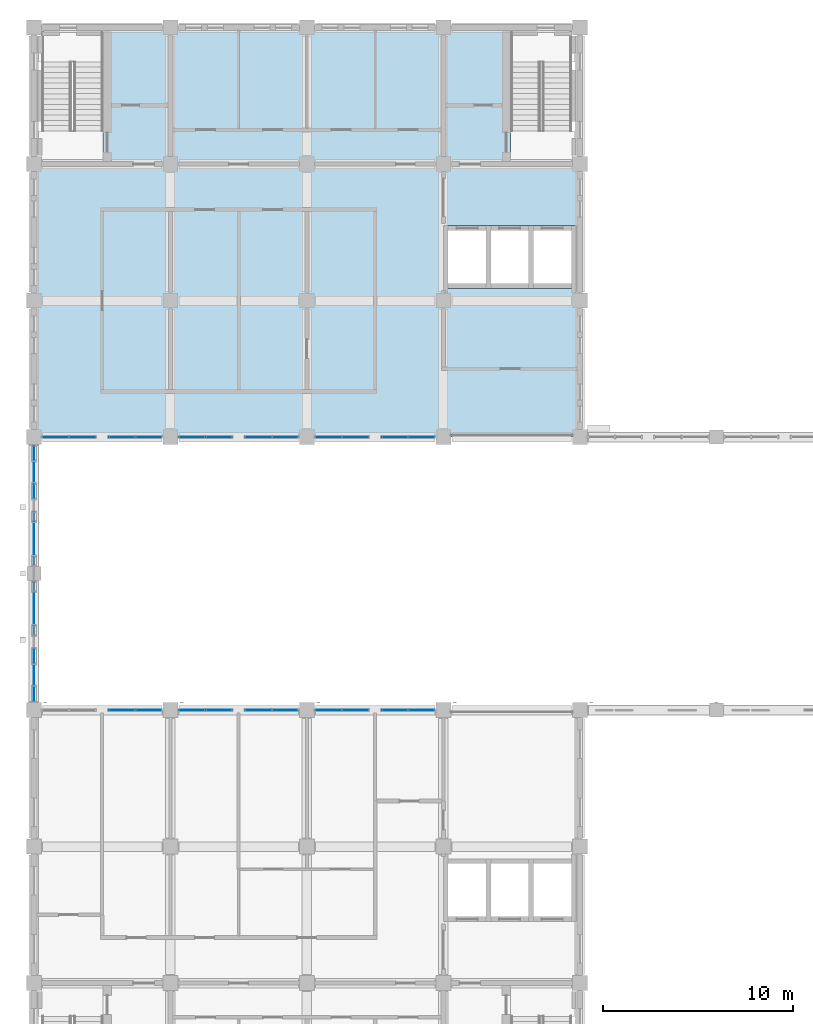
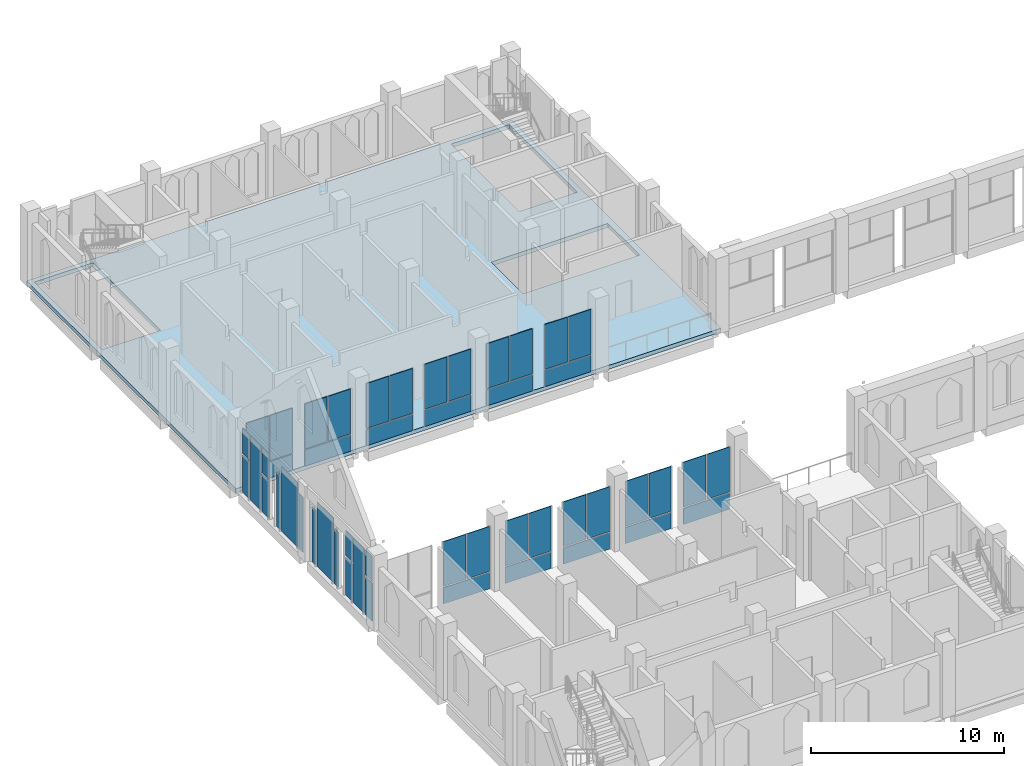
# One storey, part 16 of 31: 49 plates, 1 slab, 15 elements without a shape of their own.
"""IFC4 building model written with IfcOpenShell, lengths in metres."""

from ifc_helpers import new_model, si_unit, direction, frame, origin, origin_2d, place, context, subcontext, project, spatial, polyline, rectangle, outline, extrude, material, layer, layer_set, type_object, element, aggregate, save


model = new_model("IFC4")

# Units and contexts
model_context = context("Model", 3, precision=1e-05, world=origin(), true_north=direction((0.0, 1.0)))
body_context = subcontext(model_context, "Body", "Model", "MODEL_VIEW")
ifc_project = project(units=[si_unit("LENGTHUNIT", "METRE"), si_unit("AREAUNIT", "SQUARE_METRE"), si_unit("VOLUMEUNIT", "CUBIC_METRE"), si_unit("PLANEANGLEUNIT", "RADIAN"), si_unit("MASSUNIT", "GRAM", prefix="KILO")], contexts=[model_context])

# Site, building, storey
site_placement = place(None, origin())
site = spatial("IfcSite", under=ifc_project, at=site_placement, CompositionType="ELEMENT")
building_placement = place(site_placement, origin())
building = spatial("IfcBuilding", under=site, at=building_placement, Name="Silangan Lancet Faculty of Sciences", CompositionType="ELEMENT")
storey_placement = place(building_placement, frame((0.0, 0.0, 36.0)))
storey = spatial("IfcBuildingStorey", under=building, at=storey_placement, Name="L07", CompositionType="ELEMENT", Elevation=36.0)

# Curtain wall, plates
ifc_material_1 = material(Name="Aluminium framed curtain wall with insulated glass", Category="aluminium")
curtain_wall_type_1 = type_object("IfcCurtainWallType", Name="CW3 West stepped lancet window", PredefinedType="NOTDEFINED", material=ifc_material_1)
curtain_wall_1_placement = place(storey_placement, origin())
curtain_wall_1 = element("IfcCurtainWall", 1, at=curtain_wall_1_placement, inside=storey, type_object=curtain_wall_type_1, Name="CW3 West window L07 bay 1", PredefinedType="NOTDEFINED")
ifc_material_2 = material(Name="Insulated glass unit 8+16+8 low-emissivity", Category="glass")
ifc_layer_1 = layer(ifc_material_2, 0.031982421875)
ifc_layer_set_1 = layer_set([ifc_layer_1], Name="Insulated glass unit 8+16+8 low-emissivity")
plate_type_1 = type_object("IfcPlateType", Name="CP1 Panel vision glass 32", PredefinedType="CURTAIN_PANEL", material=ifc_layer_set_1)
plate_1_placement = place(storey_placement, frame((0.0, 22.449951171875, 2.5), z_axis=(0.0, 0.0, 1.0), x_axis=(0.0, 1.0, 0.0)))
plate_1 = element("IfcPlate", 2, at=plate_1_placement, type_object=plate_type_1, Name="CW3 West window L07 bay 1 panel 3", PredefinedType="CURTAIN_PANEL", context=body_context, shape_type="SweptSolid", body=[
    extrude(rectangle(XDim=0.75, YDim=0.031982421875, at=origin_2d()), origin(), (0.0, 0.0, 1.0), 1.60009765625),
])
plate_2_placement = place(storey_placement, frame((0.0, 24.449951171875, 2.5), z_axis=(0.0, 0.0, 1.0), x_axis=(0.0, 1.0, 0.0)))
plate_2 = element("IfcPlate", 3, at=plate_2_placement, type_object=plate_type_1, Name="CW3 West window L07 bay 1 panel 4", PredefinedType="CURTAIN_PANEL", context=body_context, shape_type="SweptSolid", body=[
    extrude(rectangle(XDim=0.75, YDim=0.031982421875, at=origin_2d()), origin(), (0.0, 0.0, 1.0), 1.60009765625),
])

curtain_wall_2_placement = place(storey_placement, origin())
curtain_wall_2 = element("IfcCurtainWall", 4, at=curtain_wall_2_placement, inside=storey, type_object=curtain_wall_type_1, Name="CW3 West window L07 bay 4", PredefinedType="NOTDEFINED")
plate_3_placement = place(storey_placement, frame((0.0, 33.14990234375, 2.5), z_axis=(0.0, 0.0, 1.0), x_axis=(0.0, 1.0, 0.0)))
plate_3 = element("IfcPlate", 5, at=plate_3_placement, type_object=plate_type_1, Name="CW3 West window L07 bay 4 panel 3", PredefinedType="CURTAIN_PANEL", context=body_context, shape_type="SweptSolid", body=[
    extrude(rectangle(XDim=0.75, YDim=0.031982421875, at=origin_2d()), origin(), (0.0, 0.0, 1.0), 1.60009765625),
])
plate_4_placement = place(storey_placement, frame((0.0, 35.14990234375, 2.5), z_axis=(0.0, 0.0, 1.0), x_axis=(0.0, 1.0, 0.0)))
plate_4 = element("IfcPlate", 6, at=plate_4_placement, type_object=plate_type_1, Name="CW3 West window L07 bay 4 panel 4", PredefinedType="CURTAIN_PANEL", context=body_context, shape_type="SweptSolid", body=[
    extrude(rectangle(XDim=0.75, YDim=0.031982421875, at=origin_2d()), origin(), (0.0, 0.0, 1.0), 1.60009765625),
])

# Plate
ifc_material_3 = material(Name="Laminated insulated glass unit 10.76+14+8", Category="glass")
ifc_layer_2 = layer(ifc_material_3, 0.035888671875)
ifc_layer_set_2 = layer_set([ifc_layer_2], Name="Laminated insulated glass unit 10.76+14+8")
plate_type_2 = type_object("IfcPlateType", Name="CP2 Panel laminated glass 36", PredefinedType="CURTAIN_PANEL", material=ifc_layer_set_2)
plate_5_placement = place(storey_placement, frame((0.0, 22.449951171875, 0.0), z_axis=(0.0, 0.0, 1.0), x_axis=(0.0, 1.0, 0.0)))
plate_5 = element("IfcPlate", 7, at=plate_5_placement, type_object=plate_type_2, Name="CW3 West window L07 bay 1 panel 1", PredefinedType="CURTAIN_PANEL", context=body_context, shape_type="SweptSolid", body=[
    extrude(rectangle(XDim=0.75, YDim=0.035888671875, at=origin_2d()), origin(), (0.0, 0.0, 1.0), 2.39990234375),
])

plate_6_placement = place(storey_placement, frame((0.0, 24.449951171875, 0.0), z_axis=(0.0, 0.0, 1.0), x_axis=(0.0, 1.0, 0.0)))
plate_6 = element("IfcPlate", 8, at=plate_6_placement, type_object=plate_type_2, Name="CW3 West window L07 bay 1 panel 2", PredefinedType="CURTAIN_PANEL", context=body_context, shape_type="SweptSolid", body=[
    extrude(rectangle(XDim=0.75, YDim=0.035888671875, at=origin_2d()), origin(), (0.0, 0.0, 1.0), 2.39990234375),
])

plate_7_placement = place(storey_placement, frame((0.0, 23.449951171875, 0.0), z_axis=(0.0, 0.0, 1.0), x_axis=(0.0, 1.0, 0.0)))
plate_7 = element("IfcPlate", 9, at=plate_7_placement, type_object=plate_type_2, Name="CW3 West window L07 bay 1 panel 5", PredefinedType="CURTAIN_PANEL", context=body_context, shape_type="SweptSolid", body=[
    extrude(rectangle(XDim=1.10009765625, YDim=0.035888671875, at=origin_2d()), origin(), (0.0, 0.0, 1.0), 4.10009765625),
])

aggregate(curtain_wall_1, [plate_5, plate_6, plate_1, plate_2, plate_7])

# Curtain wall, plates
ifc_material_4 = material(Name="Aluminium framed curtain wall with insulated glass", Category="aluminium")
curtain_wall_type_2 = type_object("IfcCurtainWallType", Name="CW6 West window middle bays", PredefinedType="NOTDEFINED", material=ifc_material_4)
curtain_wall_3_placement = place(storey_placement, origin())
curtain_wall_3 = element("IfcCurtainWall", 10, at=curtain_wall_3_placement, inside=storey, type_object=curtain_wall_type_2, Name="CW6 West window L07 bay 2", PredefinedType="NOTDEFINED")
plate_8_placement = place(storey_placement, frame((0.0, 25.800048828125, 0.0), z_axis=(0.0, 0.0, 1.0), x_axis=(0.0, 1.0, 0.0)))
plate_8 = element("IfcPlate", 11, at=plate_8_placement, type_object=plate_type_2, Name="CW6 West window L07 bay 2 panel 1", PredefinedType="CURTAIN_PANEL", context=body_context, shape_type="SweptSolid", body=[
    extrude(rectangle(XDim=0.449951171875, YDim=0.035888671875, at=origin_2d()), origin(), (0.0, 0.0, 1.0), 3.5),
])
plate_9_placement = place(storey_placement, frame((0.0, 28.125, 0.0), z_axis=(0.0, 0.0, 1.0), x_axis=(0.0, 1.0, 0.0)))
plate_9 = element("IfcPlate", 12, at=plate_9_placement, type_object=plate_type_2, Name="CW6 West window L07 bay 2 panel 2", PredefinedType="CURTAIN_PANEL", context=body_context, shape_type="SweptSolid", body=[
    extrude(rectangle(XDim=0.449951171875, YDim=0.035888671875, at=origin_2d()), origin(), (0.0, 0.0, 1.0), 3.5),
])
plate_10_placement = place(storey_placement, frame((0.0, 26.96240234375, 0.0), z_axis=(0.0, 0.0, 1.0), x_axis=(0.0, 1.0, 0.0)))
plate_10 = element("IfcPlate", 13, at=plate_10_placement, type_object=plate_type_2, Name="CW6 West window L07 bay 2 panel 5", PredefinedType="CURTAIN_PANEL", context=body_context, shape_type="SweptSolid", body=[
    extrude(rectangle(XDim=1.72509765625, YDim=0.035888671875, at=origin_2d()), origin(), (0.0, 0.0, 1.0), 4.10009765625),
])
aggregate(curtain_wall_3, [plate_8, plate_9, plate_10])

curtain_wall_4_placement = place(storey_placement, origin())
curtain_wall_4 = element("IfcCurtainWall", 14, at=curtain_wall_4_placement, inside=storey, type_object=curtain_wall_type_2, Name="CW6 West window L07 bay 3", PredefinedType="NOTDEFINED")
plate_11_placement = place(storey_placement, frame((0.0, 29.47509765625, 0.0), z_axis=(0.0, 0.0, 1.0), x_axis=(0.0, 1.0, 0.0)))
plate_11 = element("IfcPlate", 15, at=plate_11_placement, type_object=plate_type_2, Name="CW6 West window L07 bay 3 panel 1", PredefinedType="CURTAIN_PANEL", context=body_context, shape_type="SweptSolid", body=[
    extrude(rectangle(XDim=0.449951171875, YDim=0.035888671875, at=origin_2d()), origin(), (0.0, 0.0, 1.0), 3.5),
])
plate_12_placement = place(storey_placement, frame((0.0, 31.7998046875, 0.0), z_axis=(0.0, 0.0, 1.0), x_axis=(0.0, 1.0, 0.0)))
plate_12 = element("IfcPlate", 16, at=plate_12_placement, type_object=plate_type_2, Name="CW6 West window L07 bay 3 panel 2", PredefinedType="CURTAIN_PANEL", context=body_context, shape_type="SweptSolid", body=[
    extrude(rectangle(XDim=0.449951171875, YDim=0.035888671875, at=origin_2d()), origin(), (0.0, 0.0, 1.0), 3.5),
])
plate_13_placement = place(storey_placement, frame((0.0, 30.637451171875, 0.0), z_axis=(0.0, 0.0, 1.0), x_axis=(0.0, 1.0, 0.0)))
plate_13 = element("IfcPlate", 17, at=plate_13_placement, type_object=plate_type_2, Name="CW6 West window L07 bay 3 panel 5", PredefinedType="CURTAIN_PANEL", context=body_context, shape_type="SweptSolid", body=[
    extrude(rectangle(XDim=1.724853515625, YDim=0.035888671875, at=origin_2d()), origin(), (0.0, 0.0, 1.0), 4.10009765625),
])
aggregate(curtain_wall_4, [plate_11, plate_12, plate_13])

# Plate
plate_14_placement = place(storey_placement, frame((0.0, 33.14990234375, 0.0), z_axis=(0.0, 0.0, 1.0), x_axis=(0.0, 1.0, 0.0)))
plate_14 = element("IfcPlate", 18, at=plate_14_placement, type_object=plate_type_2, Name="CW3 West window L07 bay 4 panel 1", PredefinedType="CURTAIN_PANEL", context=body_context, shape_type="SweptSolid", body=[
    extrude(rectangle(XDim=0.75, YDim=0.035888671875, at=origin_2d()), origin(), (0.0, 0.0, 1.0), 2.39990234375),
])

plate_15_placement = place(storey_placement, frame((0.0, 35.14990234375, 0.0), z_axis=(0.0, 0.0, 1.0), x_axis=(0.0, 1.0, 0.0)))
plate_15 = element("IfcPlate", 19, at=plate_15_placement, type_object=plate_type_2, Name="CW3 West window L07 bay 4 panel 2", PredefinedType="CURTAIN_PANEL", context=body_context, shape_type="SweptSolid", body=[
    extrude(rectangle(XDim=0.75, YDim=0.035888671875, at=origin_2d()), origin(), (0.0, 0.0, 1.0), 2.39990234375),
])

plate_16_placement = place(storey_placement, frame((0.0, 34.14990234375, 0.0), z_axis=(0.0, 0.0, 1.0), x_axis=(0.0, 1.0, 0.0)))
plate_16 = element("IfcPlate", 20, at=plate_16_placement, type_object=plate_type_2, Name="CW3 West window L07 bay 4 panel 5", PredefinedType="CURTAIN_PANEL", context=body_context, shape_type="SweptSolid", body=[
    extrude(rectangle(XDim=1.10009765625, YDim=0.035888671875, at=origin_2d()), origin(), (0.0, 0.0, 1.0), 4.10009765625),
])

aggregate(curtain_wall_2, [plate_14, plate_15, plate_3, plate_4, plate_16])

# Curtain wall, plates
ifc_material_5 = material(Name="Aluminium framed curtain wall with insulated glass", Category="aluminium")
curtain_wall_type_3 = type_object("IfcCurtainWallType", Name="CW2 Atrium fire-resisting screen", PredefinedType="NOTDEFINED", material=ifc_material_5)
curtain_wall_5_placement = place(storey_placement, origin())
curtain_wall_5 = element("IfcCurtainWall", 21, at=curtain_wall_5_placement, inside=storey, type_object=curtain_wall_type_3, Name="CW2 Atrium south L07 bay 1", PredefinedType="NOTDEFINED")
ifc_material_6 = material(Name="Fire-resisting glass unit 40 mm, integrity E", Category="glass")
ifc_layer_3 = layer(ifc_material_6, 0.0400390625)
ifc_layer_set_3 = layer_set([ifc_layer_3], Name="Fire-resisting glass unit 40 mm, integrity E")
plate_type_3 = type_object("IfcPlateType", Name="CP3 Panel fire-resisting glass 40", PredefinedType="CURTAIN_PANEL", material=ifc_layer_set_3)
plate_17_placement = place(storey_placement, frame((19.75, 21.60009765625, 0.0), z_axis=(0.0, 0.0, 1.0), x_axis=(-1.0, 0.0, 0.0)))
plate_17 = element("IfcPlate", 22, at=plate_17_placement, type_object=plate_type_3, Name="CW2 Atrium south L07 bay 1 panel 1", PredefinedType="CURTAIN_PANEL", context=body_context, shape_type="SweptSolid", body=[
    extrude(rectangle(XDim=2.75, YDim=0.0400390625, at=origin_2d()), origin(), (0.0, 0.0, 1.0), 1.02490234375),
])
plate_18_placement = place(storey_placement, frame((20.456298828125, 21.60009765625, 1.099853515625), z_axis=(0.0, 0.0, 1.0), x_axis=(-1.0, 0.0, 0.0)))
plate_18 = element("IfcPlate", 23, at=plate_18_placement, type_object=plate_type_3, Name="CW2 Atrium south L07 bay 1 panel 2", PredefinedType="CURTAIN_PANEL", context=body_context, shape_type="SweptSolid", body=[
    extrude(rectangle(XDim=1.33740234375, YDim=0.0400390625, at=origin_2d()), origin(), (0.0, 0.0, 1.0), 2.85009765625),
])
plate_19_placement = place(storey_placement, frame((19.043701171875, 21.60009765625, 1.099853515625), z_axis=(0.0, 0.0, 1.0), x_axis=(-1.0, 0.0, 0.0)))
plate_19 = element("IfcPlate", 24, at=plate_19_placement, type_object=plate_type_3, Name="CW2 Atrium south L07 bay 1 panel 3", PredefinedType="CURTAIN_PANEL", context=body_context, shape_type="SweptSolid", body=[
    extrude(rectangle(XDim=1.33740234375, YDim=0.0400390625, at=origin_2d()), origin(), (0.0, 0.0, 1.0), 2.85009765625),
])
aggregate(curtain_wall_5, [plate_17, plate_18, plate_19])

curtain_wall_6_placement = place(storey_placement, origin())
curtain_wall_6 = element("IfcCurtainWall", 25, at=curtain_wall_6_placement, inside=storey, type_object=curtain_wall_type_3, Name="CW2 Atrium south L07 bay 2", PredefinedType="NOTDEFINED")
plate_20_placement = place(storey_placement, frame((16.25, 21.60009765625, 0.0), z_axis=(0.0, 0.0, 1.0), x_axis=(-1.0, 0.0, 0.0)))
plate_20 = element("IfcPlate", 26, at=plate_20_placement, type_object=plate_type_3, Name="CW2 Atrium south L07 bay 2 panel 1", PredefinedType="CURTAIN_PANEL", context=body_context, shape_type="SweptSolid", body=[
    extrude(rectangle(XDim=2.75, YDim=0.0400390625, at=origin_2d()), origin(), (0.0, 0.0, 1.0), 1.02490234375),
])
plate_21_placement = place(storey_placement, frame((16.956298828125, 21.60009765625, 1.099853515625), z_axis=(0.0, 0.0, 1.0), x_axis=(-1.0, 0.0, 0.0)))
plate_21 = element("IfcPlate", 27, at=plate_21_placement, type_object=plate_type_3, Name="CW2 Atrium south L07 bay 2 panel 2", PredefinedType="CURTAIN_PANEL", context=body_context, shape_type="SweptSolid", body=[
    extrude(rectangle(XDim=1.33740234375, YDim=0.0400390625, at=origin_2d()), origin(), (0.0, 0.0, 1.0), 2.85009765625),
])
plate_22_placement = place(storey_placement, frame((15.543701171875, 21.60009765625, 1.099853515625), z_axis=(0.0, 0.0, 1.0), x_axis=(-1.0, 0.0, 0.0)))
plate_22 = element("IfcPlate", 28, at=plate_22_placement, type_object=plate_type_3, Name="CW2 Atrium south L07 bay 2 panel 3", PredefinedType="CURTAIN_PANEL", context=body_context, shape_type="SweptSolid", body=[
    extrude(rectangle(XDim=1.33740234375, YDim=0.0400390625, at=origin_2d()), origin(), (0.0, 0.0, 1.0), 2.85009765625),
])
aggregate(curtain_wall_6, [plate_20, plate_21, plate_22])

curtain_wall_7_placement = place(storey_placement, origin())
curtain_wall_7 = element("IfcCurtainWall", 29, at=curtain_wall_7_placement, inside=storey, type_object=curtain_wall_type_3, Name="CW2 Atrium south L07 bay 3", PredefinedType="NOTDEFINED")
plate_23_placement = place(storey_placement, frame((12.550048828125, 21.60009765625, 0.0), z_axis=(0.0, 0.0, 1.0), x_axis=(-1.0, 0.0, 0.0)))
plate_23 = element("IfcPlate", 30, at=plate_23_placement, type_object=plate_type_3, Name="CW2 Atrium south L07 bay 3 panel 1", PredefinedType="CURTAIN_PANEL", context=body_context, shape_type="SweptSolid", body=[
    extrude(rectangle(XDim=2.75, YDim=0.0400390625, at=origin_2d()), origin(), (0.0, 0.0, 1.0), 1.02490234375),
])
plate_24_placement = place(storey_placement, frame((13.25634765625, 21.60009765625, 1.099853515625), z_axis=(0.0, 0.0, 1.0), x_axis=(-1.0, 0.0, 0.0)))
plate_24 = element("IfcPlate", 31, at=plate_24_placement, type_object=plate_type_3, Name="CW2 Atrium south L07 bay 3 panel 2", PredefinedType="CURTAIN_PANEL", context=body_context, shape_type="SweptSolid", body=[
    extrude(rectangle(XDim=1.33740234375, YDim=0.0400390625, at=origin_2d()), origin(), (0.0, 0.0, 1.0), 2.85009765625),
])
plate_25_placement = place(storey_placement, frame((11.84375, 21.60009765625, 1.099853515625), z_axis=(0.0, 0.0, 1.0), x_axis=(-1.0, 0.0, 0.0)))
plate_25 = element("IfcPlate", 32, at=plate_25_placement, type_object=plate_type_3, Name="CW2 Atrium south L07 bay 3 panel 3", PredefinedType="CURTAIN_PANEL", context=body_context, shape_type="SweptSolid", body=[
    extrude(rectangle(XDim=1.33740234375, YDim=0.0400390625, at=origin_2d()), origin(), (0.0, 0.0, 1.0), 2.85009765625),
])
aggregate(curtain_wall_7, [plate_23, plate_24, plate_25])

curtain_wall_8_placement = place(storey_placement, origin())
curtain_wall_8 = element("IfcCurtainWall", 33, at=curtain_wall_8_placement, inside=storey, type_object=curtain_wall_type_3, Name="CW2 Atrium south L07 bay 4", PredefinedType="NOTDEFINED")
plate_26_placement = place(storey_placement, frame((9.050048828125, 21.60009765625, 0.0), z_axis=(0.0, 0.0, 1.0), x_axis=(-1.0, 0.0, 0.0)))
plate_26 = element("IfcPlate", 34, at=plate_26_placement, type_object=plate_type_3, Name="CW2 Atrium south L07 bay 4 panel 1", PredefinedType="CURTAIN_PANEL", context=body_context, shape_type="SweptSolid", body=[
    extrude(rectangle(XDim=2.75, YDim=0.0400390625, at=origin_2d()), origin(), (0.0, 0.0, 1.0), 1.02490234375),
])
plate_27_placement = place(storey_placement, frame((9.75634765625, 21.60009765625, 1.099853515625), z_axis=(0.0, 0.0, 1.0), x_axis=(-1.0, 0.0, 0.0)))
plate_27 = element("IfcPlate", 35, at=plate_27_placement, type_object=plate_type_3, Name="CW2 Atrium south L07 bay 4 panel 2", PredefinedType="CURTAIN_PANEL", context=body_context, shape_type="SweptSolid", body=[
    extrude(rectangle(XDim=1.33740234375, YDim=0.0400390625, at=origin_2d()), origin(), (0.0, 0.0, 1.0), 2.85009765625),
])
plate_28_placement = place(storey_placement, frame((8.34375, 21.60009765625, 1.099853515625), z_axis=(0.0, 0.0, 1.0), x_axis=(-1.0, 0.0, 0.0)))
plate_28 = element("IfcPlate", 36, at=plate_28_placement, type_object=plate_type_3, Name="CW2 Atrium south L07 bay 4 panel 3", PredefinedType="CURTAIN_PANEL", context=body_context, shape_type="SweptSolid", body=[
    extrude(rectangle(XDim=1.33740234375, YDim=0.0400390625, at=origin_2d()), origin(), (0.0, 0.0, 1.0), 2.85009765625),
])
aggregate(curtain_wall_8, [plate_26, plate_27, plate_28])

curtain_wall_9_placement = place(storey_placement, origin())
curtain_wall_9 = element("IfcCurtainWall", 37, at=curtain_wall_9_placement, inside=storey, type_object=curtain_wall_type_3, Name="CW2 Atrium south L07 bay 5", PredefinedType="NOTDEFINED")
plate_29_placement = place(storey_placement, frame((5.35009765625, 21.60009765625, 0.0), z_axis=(0.0, 0.0, 1.0), x_axis=(-1.0, 0.0, 0.0)))
plate_29 = element("IfcPlate", 38, at=plate_29_placement, type_object=plate_type_3, Name="CW2 Atrium south L07 bay 5 panel 1", PredefinedType="CURTAIN_PANEL", context=body_context, shape_type="SweptSolid", body=[
    extrude(rectangle(XDim=2.75, YDim=0.0400390625, at=origin_2d()), origin(), (0.0, 0.0, 1.0), 1.02490234375),
])
plate_30_placement = place(storey_placement, frame((6.056396484375, 21.60009765625, 1.099853515625), z_axis=(0.0, 0.0, 1.0), x_axis=(-1.0, 0.0, 0.0)))
plate_30 = element("IfcPlate", 39, at=plate_30_placement, type_object=plate_type_3, Name="CW2 Atrium south L07 bay 5 panel 2", PredefinedType="CURTAIN_PANEL", context=body_context, shape_type="SweptSolid", body=[
    extrude(rectangle(XDim=1.33740234375, YDim=0.0400390625, at=origin_2d()), origin(), (0.0, 0.0, 1.0), 2.85009765625),
])
plate_31_placement = place(storey_placement, frame((4.643798828125, 21.60009765625, 1.099853515625), z_axis=(0.0, 0.0, 1.0), x_axis=(-1.0, 0.0, 0.0)))
plate_31 = element("IfcPlate", 40, at=plate_31_placement, type_object=plate_type_3, Name="CW2 Atrium south L07 bay 5 panel 3", PredefinedType="CURTAIN_PANEL", context=body_context, shape_type="SweptSolid", body=[
    extrude(rectangle(XDim=1.33740234375, YDim=0.0400390625, at=origin_2d()), origin(), (0.0, 0.0, 1.0), 2.85009765625),
])
aggregate(curtain_wall_9, [plate_29, plate_30, plate_31])

curtain_wall_10_placement = place(storey_placement, origin())
curtain_wall_10 = element("IfcCurtainWall", 41, at=curtain_wall_10_placement, inside=storey, type_object=curtain_wall_type_3, Name="CW2 Atrium north L07 bay 1", PredefinedType="NOTDEFINED")
plate_32_placement = place(storey_placement, frame((1.85009765625, 36.0, 0.0), z_axis=(0.0, 0.0, 1.0), x_axis=(1.0, 0.0, 0.0)))
plate_32 = element("IfcPlate", 42, at=plate_32_placement, type_object=plate_type_3, Name="CW2 Atrium north L07 bay 1 panel 1", PredefinedType="CURTAIN_PANEL", context=body_context, shape_type="SweptSolid", body=[
    extrude(rectangle(XDim=2.75, YDim=0.0400390625, at=origin_2d()), origin(), (0.0, 0.0, 1.0), 1.02490234375),
])
plate_33_placement = place(storey_placement, frame((1.143798828125, 36.0, 1.099853515625), z_axis=(0.0, 0.0, 1.0), x_axis=(1.0, 0.0, 0.0)))
plate_33 = element("IfcPlate", 43, at=plate_33_placement, type_object=plate_type_3, Name="CW2 Atrium north L07 bay 1 panel 2", PredefinedType="CURTAIN_PANEL", context=body_context, shape_type="SweptSolid", body=[
    extrude(rectangle(XDim=1.337646484375, YDim=0.0400390625, at=origin_2d()), origin(), (0.0, 0.0, 1.0), 2.85009765625),
])
plate_34_placement = place(storey_placement, frame((2.556396484375, 36.0, 1.099853515625), z_axis=(0.0, 0.0, 1.0), x_axis=(1.0, 0.0, 0.0)))
plate_34 = element("IfcPlate", 44, at=plate_34_placement, type_object=plate_type_3, Name="CW2 Atrium north L07 bay 1 panel 3", PredefinedType="CURTAIN_PANEL", context=body_context, shape_type="SweptSolid", body=[
    extrude(rectangle(XDim=1.337646484375, YDim=0.0400390625, at=origin_2d()), origin(), (0.0, 0.0, 1.0), 2.85009765625),
])
aggregate(curtain_wall_10, [plate_32, plate_33, plate_34])

curtain_wall_11_placement = place(storey_placement, origin())
curtain_wall_11 = element("IfcCurtainWall", 45, at=curtain_wall_11_placement, inside=storey, type_object=curtain_wall_type_3, Name="CW2 Atrium north L07 bay 2", PredefinedType="NOTDEFINED")
plate_35_placement = place(storey_placement, frame((5.35009765625, 36.0, 0.0), z_axis=(0.0, 0.0, 1.0), x_axis=(1.0, 0.0, 0.0)))
plate_35 = element("IfcPlate", 46, at=plate_35_placement, type_object=plate_type_3, Name="CW2 Atrium north L07 bay 2 panel 1", PredefinedType="CURTAIN_PANEL", context=body_context, shape_type="SweptSolid", body=[
    extrude(rectangle(XDim=2.75, YDim=0.0400390625, at=origin_2d()), origin(), (0.0, 0.0, 1.0), 1.02490234375),
])
plate_36_placement = place(storey_placement, frame((4.643798828125, 36.0, 1.099853515625), z_axis=(0.0, 0.0, 1.0), x_axis=(1.0, 0.0, 0.0)))
plate_36 = element("IfcPlate", 47, at=plate_36_placement, type_object=plate_type_3, Name="CW2 Atrium north L07 bay 2 panel 2", PredefinedType="CURTAIN_PANEL", context=body_context, shape_type="SweptSolid", body=[
    extrude(rectangle(XDim=1.33740234375, YDim=0.0400390625, at=origin_2d()), origin(), (0.0, 0.0, 1.0), 2.85009765625),
])
plate_37_placement = place(storey_placement, frame((6.056396484375, 36.0, 1.099853515625), z_axis=(0.0, 0.0, 1.0), x_axis=(1.0, 0.0, 0.0)))
plate_37 = element("IfcPlate", 48, at=plate_37_placement, type_object=plate_type_3, Name="CW2 Atrium north L07 bay 2 panel 3", PredefinedType="CURTAIN_PANEL", context=body_context, shape_type="SweptSolid", body=[
    extrude(rectangle(XDim=1.33740234375, YDim=0.0400390625, at=origin_2d()), origin(), (0.0, 0.0, 1.0), 2.85009765625),
])
aggregate(curtain_wall_11, [plate_35, plate_36, plate_37])

curtain_wall_12_placement = place(storey_placement, origin())
curtain_wall_12 = element("IfcCurtainWall", 49, at=curtain_wall_12_placement, inside=storey, type_object=curtain_wall_type_3, Name="CW2 Atrium north L07 bay 3", PredefinedType="NOTDEFINED")
plate_38_placement = place(storey_placement, frame((9.050048828125, 36.0, 0.0), z_axis=(0.0, 0.0, 1.0), x_axis=(1.0, 0.0, 0.0)))
plate_38 = element("IfcPlate", 50, at=plate_38_placement, type_object=plate_type_3, Name="CW2 Atrium north L07 bay 3 panel 1", PredefinedType="CURTAIN_PANEL", context=body_context, shape_type="SweptSolid", body=[
    extrude(rectangle(XDim=2.75, YDim=0.0400390625, at=origin_2d()), origin(), (0.0, 0.0, 1.0), 1.02490234375),
])
plate_39_placement = place(storey_placement, frame((8.34375, 36.0, 1.099853515625), z_axis=(0.0, 0.0, 1.0), x_axis=(1.0, 0.0, 0.0)))
plate_39 = element("IfcPlate", 51, at=plate_39_placement, type_object=plate_type_3, Name="CW2 Atrium north L07 bay 3 panel 2", PredefinedType="CURTAIN_PANEL", context=body_context, shape_type="SweptSolid", body=[
    extrude(rectangle(XDim=1.33740234375, YDim=0.0400390625, at=origin_2d()), origin(), (0.0, 0.0, 1.0), 2.85009765625),
])
plate_40_placement = place(storey_placement, frame((9.75634765625, 36.0, 1.099853515625), z_axis=(0.0, 0.0, 1.0), x_axis=(1.0, 0.0, 0.0)))
plate_40 = element("IfcPlate", 52, at=plate_40_placement, type_object=plate_type_3, Name="CW2 Atrium north L07 bay 3 panel 3", PredefinedType="CURTAIN_PANEL", context=body_context, shape_type="SweptSolid", body=[
    extrude(rectangle(XDim=1.33740234375, YDim=0.0400390625, at=origin_2d()), origin(), (0.0, 0.0, 1.0), 2.85009765625),
])
aggregate(curtain_wall_12, [plate_38, plate_39, plate_40])

curtain_wall_13_placement = place(storey_placement, origin())
curtain_wall_13 = element("IfcCurtainWall", 53, at=curtain_wall_13_placement, inside=storey, type_object=curtain_wall_type_3, Name="CW2 Atrium north L07 bay 4", PredefinedType="NOTDEFINED")
plate_41_placement = place(storey_placement, frame((12.550048828125, 36.0, 0.0), z_axis=(0.0, 0.0, 1.0), x_axis=(1.0, 0.0, 0.0)))
plate_41 = element("IfcPlate", 54, at=plate_41_placement, type_object=plate_type_3, Name="CW2 Atrium north L07 bay 4 panel 1", PredefinedType="CURTAIN_PANEL", context=body_context, shape_type="SweptSolid", body=[
    extrude(rectangle(XDim=2.75, YDim=0.0400390625, at=origin_2d()), origin(), (0.0, 0.0, 1.0), 1.02490234375),
])
plate_42_placement = place(storey_placement, frame((11.84375, 36.0, 1.099853515625), z_axis=(0.0, 0.0, 1.0), x_axis=(1.0, 0.0, 0.0)))
plate_42 = element("IfcPlate", 55, at=plate_42_placement, type_object=plate_type_3, Name="CW2 Atrium north L07 bay 4 panel 2", PredefinedType="CURTAIN_PANEL", context=body_context, shape_type="SweptSolid", body=[
    extrude(rectangle(XDim=1.33740234375, YDim=0.0400390625, at=origin_2d()), origin(), (0.0, 0.0, 1.0), 2.85009765625),
])
plate_43_placement = place(storey_placement, frame((13.25634765625, 36.0, 1.099853515625), z_axis=(0.0, 0.0, 1.0), x_axis=(1.0, 0.0, 0.0)))
plate_43 = element("IfcPlate", 56, at=plate_43_placement, type_object=plate_type_3, Name="CW2 Atrium north L07 bay 4 panel 3", PredefinedType="CURTAIN_PANEL", context=body_context, shape_type="SweptSolid", body=[
    extrude(rectangle(XDim=1.33740234375, YDim=0.0400390625, at=origin_2d()), origin(), (0.0, 0.0, 1.0), 2.85009765625),
])
aggregate(curtain_wall_13, [plate_41, plate_42, plate_43])

curtain_wall_14_placement = place(storey_placement, origin())
curtain_wall_14 = element("IfcCurtainWall", 57, at=curtain_wall_14_placement, inside=storey, type_object=curtain_wall_type_3, Name="CW2 Atrium north L07 bay 5", PredefinedType="NOTDEFINED")
plate_44_placement = place(storey_placement, frame((16.25, 36.0, 0.0), z_axis=(0.0, 0.0, 1.0), x_axis=(1.0, 0.0, 0.0)))
plate_44 = element("IfcPlate", 58, at=plate_44_placement, type_object=plate_type_3, Name="CW2 Atrium north L07 bay 5 panel 1", PredefinedType="CURTAIN_PANEL", context=body_context, shape_type="SweptSolid", body=[
    extrude(rectangle(XDim=2.75, YDim=0.0400390625, at=origin_2d()), origin(), (0.0, 0.0, 1.0), 1.02490234375),
])
plate_45_placement = place(storey_placement, frame((15.543701171875, 36.0, 1.099853515625), z_axis=(0.0, 0.0, 1.0), x_axis=(1.0, 0.0, 0.0)))
plate_45 = element("IfcPlate", 59, at=plate_45_placement, type_object=plate_type_3, Name="CW2 Atrium north L07 bay 5 panel 2", PredefinedType="CURTAIN_PANEL", context=body_context, shape_type="SweptSolid", body=[
    extrude(rectangle(XDim=1.33740234375, YDim=0.0400390625, at=origin_2d()), origin(), (0.0, 0.0, 1.0), 2.85009765625),
])
plate_46_placement = place(storey_placement, frame((16.956298828125, 36.0, 1.099853515625), z_axis=(0.0, 0.0, 1.0), x_axis=(1.0, 0.0, 0.0)))
plate_46 = element("IfcPlate", 60, at=plate_46_placement, type_object=plate_type_3, Name="CW2 Atrium north L07 bay 5 panel 3", PredefinedType="CURTAIN_PANEL", context=body_context, shape_type="SweptSolid", body=[
    extrude(rectangle(XDim=1.33740234375, YDim=0.0400390625, at=origin_2d()), origin(), (0.0, 0.0, 1.0), 2.85009765625),
])
aggregate(curtain_wall_14, [plate_44, plate_45, plate_46])

curtain_wall_15_placement = place(storey_placement, origin())
curtain_wall_15 = element("IfcCurtainWall", 61, at=curtain_wall_15_placement, inside=storey, type_object=curtain_wall_type_3, Name="CW2 Atrium north L07 bay 6", PredefinedType="NOTDEFINED")
plate_47_placement = place(storey_placement, frame((19.75, 36.0, 0.0), z_axis=(0.0, 0.0, 1.0), x_axis=(1.0, 0.0, 0.0)))
plate_47 = element("IfcPlate", 62, at=plate_47_placement, type_object=plate_type_3, Name="CW2 Atrium north L07 bay 6 panel 1", PredefinedType="CURTAIN_PANEL", context=body_context, shape_type="SweptSolid", body=[
    extrude(rectangle(XDim=2.75, YDim=0.0400390625, at=origin_2d()), origin(), (0.0, 0.0, 1.0), 1.02490234375),
])
plate_48_placement = place(storey_placement, frame((19.043701171875, 36.0, 1.099853515625), z_axis=(0.0, 0.0, 1.0), x_axis=(1.0, 0.0, 0.0)))
plate_48 = element("IfcPlate", 63, at=plate_48_placement, type_object=plate_type_3, Name="CW2 Atrium north L07 bay 6 panel 2", PredefinedType="CURTAIN_PANEL", context=body_context, shape_type="SweptSolid", body=[
    extrude(rectangle(XDim=1.33740234375, YDim=0.0400390625, at=origin_2d()), origin(), (0.0, 0.0, 1.0), 2.85009765625),
])
plate_49_placement = place(storey_placement, frame((20.456298828125, 36.0, 1.099853515625), z_axis=(0.0, 0.0, 1.0), x_axis=(1.0, 0.0, 0.0)))
plate_49 = element("IfcPlate", 64, at=plate_49_placement, type_object=plate_type_3, Name="CW2 Atrium north L07 bay 6 panel 3", PredefinedType="CURTAIN_PANEL", context=body_context, shape_type="SweptSolid", body=[
    extrude(rectangle(XDim=1.33740234375, YDim=0.0400390625, at=origin_2d()), origin(), (0.0, 0.0, 1.0), 2.85009765625),
])
aggregate(curtain_wall_15, [plate_47, plate_48, plate_49])

# Slab
ifc_material_7 = material(Name="Concrete C35/45", Category="concrete")
ifc_layer_4 = layer(ifc_material_7, 0.25)
ifc_layer_set_4 = layer_set([ifc_layer_4], Name="Concrete C35/45")
slab_type = type_object("IfcSlabType", Name="SLAB FLOOR 250", PredefinedType="FLOOR", material=ifc_layer_set_4)
slab_placement = place(storey_placement, frame((0.0, 0.0, -0.25)))
element("IfcSlab", 65, at=slab_placement, inside=storey, type_object=slab_type, Name="SLAB-L07-NT", PredefinedType="FLOOR", context=body_context, shape_type="SweptSolid", body=[
    extrude(outline(polyline([(-0.14990234375, 36.0), (28.949951171875, 36.0), (28.949951171875, 57.75), (-0.14990234375, 57.75), (-0.14990234375, 36.0)]), holes=[polyline([(21.60009765625, 47.14990234375), (28.60009765625, 47.14990234375), (28.60009765625, 43.85009765625), (21.60009765625, 43.85009765625), (21.60009765625, 47.14990234375)]), polyline([(0.14990234375, 57.449951171875), (3.64990234375, 57.449951171875), (3.64990234375, 50.39990234375), (0.14990234375, 50.39990234375), (0.14990234375, 57.449951171875)]), polyline([(25.14990234375, 57.449951171875), (28.64990234375, 57.449951171875), (28.64990234375, 50.39990234375), (25.14990234375, 50.39990234375), (25.14990234375, 57.449951171875)])]), origin(), (0.0, 0.0, 1.0), 0.25),
])

save(model, "model.ifc")
